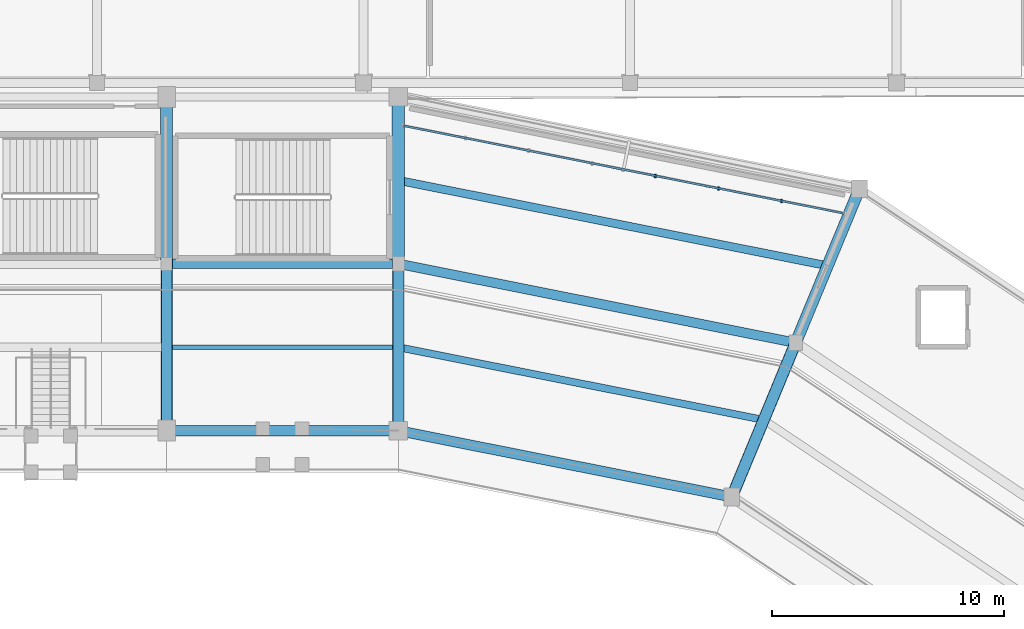
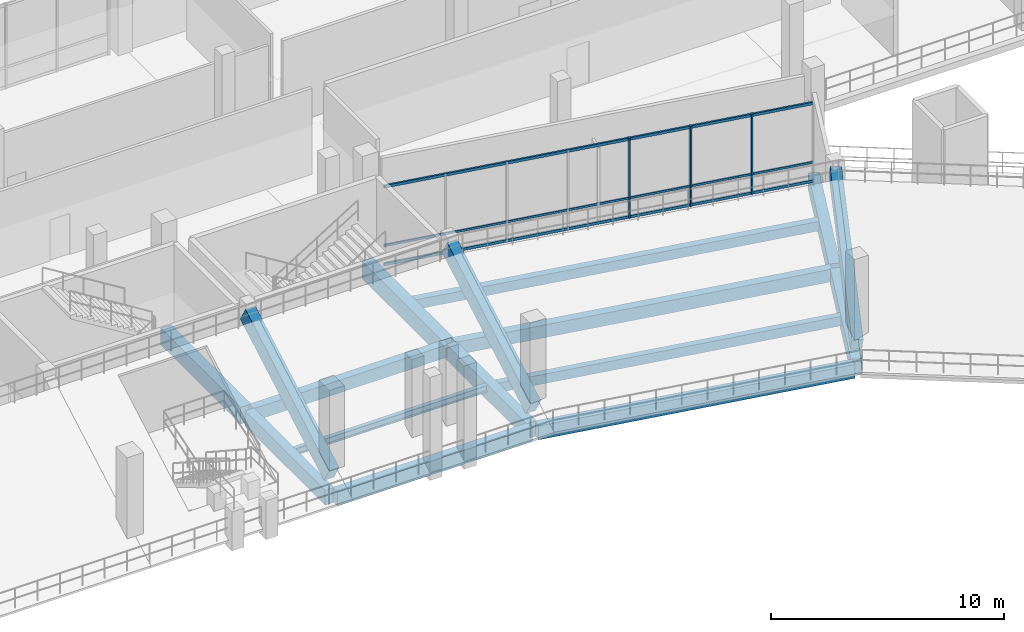
# One storey, part 55 of 127: 16 beams, 6 members, 1 element without a shape of its own.
"""IFC4 building model written with IfcOpenShell, lengths in metres."""

from ifc_helpers import new_model, si_unit, direction, frame, origin, origin_2d, place, context, subcontext, project, spatial, rectangle, i_section, extrude, material, material_profile, profile_set, type_object, element, aggregate, save


model = new_model("IFC4")

# Units and contexts
model_context = context("Model", 3, precision=1e-05, world=origin(), true_north=direction((0.0, 1.0)))
body_context = subcontext(model_context, "Body", "Model", "MODEL_VIEW")
ifc_project = project(units=[si_unit("LENGTHUNIT", "METRE"), si_unit("AREAUNIT", "SQUARE_METRE"), si_unit("VOLUMEUNIT", "CUBIC_METRE"), si_unit("PLANEANGLEUNIT", "RADIAN"), si_unit("MASSUNIT", "GRAM", prefix="KILO")], contexts=[model_context])

# Site, building, storey
site_placement = place(None, origin())
site = spatial("IfcSite", under=ifc_project, at=site_placement, CompositionType="ELEMENT")
building_placement = place(site_placement, origin())
building = spatial("IfcBuilding", under=site, at=building_placement, Name="Candeia Ridge Stadium", CompositionType="ELEMENT")
storey_placement = place(building_placement, frame((0.0, 0.0, 10.800048828125)))
storey = spatial("IfcBuildingStorey", under=building, at=storey_placement, Name="L02", CompositionType="ELEMENT", Elevation=10.800048828125)

# Beams
ifc_material_1 = material(Name="Concrete C45/55", Category="concrete")
ifc_material_profile_1 = material_profile(ifc_material_1, rectangle(XDim=0.5, YDim=0.89990234375, at=origin_2d()), Name="RC500x900", Category="concrete")
ifc_profile_set_1 = profile_set([ifc_material_profile_1], Name="Concrete C45/55")
beam_type_1 = type_object("IfcBeamType", Name="Club Stand Raker Beam RC500x900", PredefinedType="USERDEFINED", material=ifc_profile_set_1)
for number, where, z_axis, x_axis, name in (
    (1, (141.0, 132.60009765625, 0.624267578125), (0.0, 0.869244421404, 0.494382580455), (-1.0, 0.0, 0.0), "Stand T2 inclined concrete raker beam 01"),
    (2, (131.0, 132.60009765625, 0.624267578125), (0.0, 0.869244421404, 0.494382580455), (-1.0, 0.0, 0.0), "Stand T2 inclined concrete raker beam 02"),
):
    element("IfcBeam", number, at=place(storey_placement, frame(where, z_axis=z_axis, x_axis=x_axis)), inside=storey, type_object=beam_type_1, Name=name, ObjectType="RAKER", PredefinedType="USERDEFINED", context=body_context, shape_type="SweptSolid", body=[
        extrude(rectangle(XDim=0.5, YDim=0.89990234375, at=origin_2d()), origin(), (0.0, 0.0, 1.0), 8.282958984375),
    ])
beam_1_placement = place(storey_placement, frame((155.388916015625, 129.73779296875, 0.624267578125), z_axis=(0.332646014247, 0.80308399346, 0.494371043502), x_axis=(-0.923880454805, 0.382681205745, 0.0)))
element("IfcBeam", 3, at=beam_1_placement, inside=storey, type_object=beam_type_1, Name="Stand T2 inclined concrete raker beam 36", ObjectType="RAKER", PredefinedType="USERDEFINED", context=body_context, shape_type="SweptSolid", body=[
    extrude(rectangle(XDim=0.5, YDim=0.89990234375, at=origin_2d()), origin(), (0.0, 0.0, 1.0), 8.283203125),
])
ifc_material_2 = material(Name="Steel ASTM A572 Grade 50", Category="steel")
ifc_material_profile_2 = material_profile(ifc_material_2, i_section(OverallWidth=0.205078125, OverallDepth=0.35400390625, WebThickness=0.009521484375, FlangeThickness=0.016845703125, FilletRadius=0.014892578125, at=origin_2d()), Name="W360x79", Category="steel")
ifc_profile_set_2 = profile_set([ifc_material_profile_2], Name="Steel ASTM A572 Grade 50")
beam_type_2 = type_object("IfcBeamType", Name="Concourse Secondary Joist W360x79", PredefinedType="JOIST", material=ifc_profile_set_2)
beam_2_placement = place(storey_placement, frame((140.778076171875, 136.199951171875, -0.43701171875), z_axis=(-1.0, 0.0, 0.0), x_axis=(0.0, -1.0, 0.0)))
element("IfcBeam", 4, at=beam_2_placement, inside=storey, type_object=beam_type_2, Name="Concourse secondary joist BM-L02-0316", PredefinedType="JOIST", context=body_context, shape_type="SweptSolid", body=[
    extrude(i_section(OverallWidth=0.205078125, OverallDepth=0.35400390625, WebThickness=0.009521484375, FlangeThickness=0.016845703125, FilletRadius=0.014892578125, at=origin_2d()), origin(), (0.0, 0.0, 1.0), 9.55615234375),
])

# Curtain wall, members
ifc_material_3 = material(Name="Aluminium Anodized Warm Bronze", Category="aluminium")
curtain_wall_type = type_object("IfcCurtainWallType", Name="Concourse Recessed Unitised Curtain Wall", PredefinedType="NOTDEFINED", material=ifc_material_3)
curtain_wall_placement = place(storey_placement, origin())
curtain_wall = element("IfcCurtainWall", 5, at=curtain_wall_placement, inside=storey, type_object=curtain_wall_type, Name="Unitised curtain wall CW-BWL-L02-35", PredefinedType="NOTDEFINED")
ifc_material_profile_3 = material_profile(ifc_material_3, rectangle(XDim=0.074951171875, YDim=0.14990234375, at=origin_2d()), Name="CWM-75x150", Category="aluminium")
ifc_profile_set_3 = profile_set([ifc_material_profile_3], Name="Aluminium Anodized Warm Bronze")
member_type_1 = type_object("IfcMemberType", Name="Curtain Wall Secondary Mullion 75x150", PredefinedType="MULLION", material=ifc_profile_set_3)
member_1_placement = place(storey_placement, frame((157.537109375, 142.510498046875, 0.0), z_axis=(0.0, 0.0, 1.0), x_axis=(1.0, 0.0, 0.0)))
member_1 = element("IfcMember", 6, at=member_1_placement, type_object=member_type_1, Name="Curtain wall mullion CW-BWL-L02-35-M1", PredefinedType="MULLION", context=body_context, shape_type="SweptSolid", body=[
    extrude(rectangle(XDim=0.074951171875, YDim=0.14990234375, at=origin_2d()), origin(), (0.0, 0.0, 1.0), 4.21484375),
])
member_2_placement = place(storey_placement, frame((154.810302734375, 143.052978515625, 0.0), z_axis=(0.0, 0.0, 1.0), x_axis=(1.0, 0.0, 0.0)))
member_2 = element("IfcMember", 7, at=member_2_placement, type_object=member_type_1, Name="Curtain wall mullion CW-BWL-L02-35-M2", PredefinedType="MULLION", context=body_context, shape_type="SweptSolid", body=[
    extrude(rectangle(XDim=0.074951171875, YDim=0.14990234375, at=origin_2d()), origin(), (0.0, 0.0, 1.0), 4.21484375),
])
member_3_placement = place(storey_placement, frame((152.08349609375, 143.595458984375, 0.0), z_axis=(0.0, 0.0, 1.0), x_axis=(1.0, 0.0, 0.0)))
member_3 = element("IfcMember", 8, at=member_3_placement, type_object=member_type_1, Name="Curtain wall mullion CW-BWL-L02-35-M3", PredefinedType="MULLION", context=body_context, shape_type="SweptSolid", body=[
    extrude(rectangle(XDim=0.074951171875, YDim=0.14990234375, at=origin_2d()), origin(), (0.0, 0.0, 1.0), 4.21484375),
])
ifc_material_profile_4 = material_profile(ifc_material_3, rectangle(XDim=0.074951171875, YDim=0.110107421875, at=origin_2d()), Name="CWT-75x110", Category="aluminium")
ifc_profile_set_4 = profile_set([ifc_material_profile_4], Name="Aluminium Anodized Warm Bronze")
member_type_2 = type_object("IfcMemberType", Name="Curtain Wall Secondary Transom 75x110", PredefinedType="USERDEFINED", material=ifc_profile_set_4)
member_4_placement = place(storey_placement, frame((160.263916015625, 141.96826171875, 1.0537109375), z_axis=(-0.980786160623, 0.195085896803, 0.0), x_axis=(-0.195085896803, -0.980786160623, 0.0)))
member_4 = element("IfcMember", 9, at=member_4_placement, type_object=member_type_2, Name="Curtain wall transom CW-BWL-L02-35-T1", ObjectType="TRANSOM", PredefinedType="USERDEFINED", context=body_context, shape_type="SweptSolid", body=[
    extrude(rectangle(XDim=0.074951171875, YDim=0.110107421875, at=origin_2d()), origin(), (0.0, 0.0, 1.0), 19.46142578125),
])
ifc_material_profile_5 = material_profile(ifc_material_3, rectangle(XDim=0.090087890625, YDim=0.139892578125, at=origin_2d()), Name="CWT-90x140", Category="aluminium")
ifc_profile_set_5 = profile_set([ifc_material_profile_5], Name="Aluminium Anodized Warm Bronze")
member_type_3 = type_object("IfcMemberType", Name="Curtain Wall Transom 90x140", PredefinedType="USERDEFINED", material=ifc_profile_set_5)
member_5_placement = place(storey_placement, frame((160.263916015625, 141.96826171875, 0.070068359375), z_axis=(-0.980786160623, 0.195085896803, 0.0), x_axis=(-0.195085896803, -0.980786160623, 0.0)))
member_5 = element("IfcMember", 10, at=member_5_placement, type_object=member_type_3, Name="Curtain wall transom CW-BWL-L02-35-T0", ObjectType="TRANSOM", PredefinedType="USERDEFINED", context=body_context, shape_type="SweptSolid", body=[
    extrude(rectangle(XDim=0.090087890625, YDim=0.139892578125, at=origin_2d()), origin(), (0.0, 0.0, 1.0), 19.46142578125),
])
member_6_placement = place(storey_placement, frame((160.263916015625, 141.96826171875, 4.14501953125), z_axis=(-0.980786160623, 0.195085896803, 0.0), x_axis=(-0.195085896803, -0.980786160623, 0.0)))
member_6 = element("IfcMember", 11, at=member_6_placement, type_object=member_type_3, Name="Curtain wall transom CW-BWL-L02-35-T2", ObjectType="TRANSOM", PredefinedType="USERDEFINED", context=body_context, shape_type="SweptSolid", body=[
    extrude(rectangle(XDim=0.090087890625, YDim=0.139892578125, at=origin_2d()), origin(), (0.0, 0.0, 1.0), 19.46142578125),
])
aggregate(curtain_wall, [member_1, member_2, member_3, member_5, member_4, member_6])

# Beams
ifc_material_4 = material(Name="Concrete C40/50", Category="concrete")
ifc_material_profile_6 = material_profile(ifc_material_4, rectangle(XDim=0.31005859375, YDim=0.489990234375, at=origin_2d()), Name="RC310x490", Category="concrete")
ifc_profile_set_6 = profile_set([ifc_material_profile_6], Name="Concrete C40/50")
beam_type_3 = type_object("IfcBeamType", Name="Floor Joist RC310x490", PredefinedType="JOIST", material=ifc_profile_set_6)
beam_3_placement = place(storey_placement, frame((156.548828125, 133.107177734375, -0.505126953125), z_axis=(-0.980784984607, 0.195091809076, 0.0), x_axis=(-0.195091809076, -0.980784984607, 0.0)))
element("IfcBeam", 12, at=beam_3_placement, inside=storey, type_object=beam_type_3, Name="Concourse secondary joist BM-L02-0479", PredefinedType="JOIST", context=body_context, shape_type="SweptSolid", body=[
    extrude(rectangle(XDim=0.31005859375, YDim=0.489990234375, at=origin_2d()), origin(), (0.0, 0.0, 1.0), 15.63134765625),
])
ifc_material_profile_7 = material_profile(ifc_material_4, rectangle(XDim=0.35009765625, YDim=0.5, at=origin_2d()), Name="RC350x500", Category="concrete")
ifc_profile_set_7 = profile_set([ifc_material_profile_7], Name="Concrete C40/50")
beam_type_4 = type_object("IfcBeamType", Name="Floor Joist RC350x500", PredefinedType="JOIST", material=ifc_profile_set_7)
beam_4_placement = place(storey_placement, frame((159.30419921875, 139.759033203125, -0.510009765625), z_axis=(-0.980784839623, 0.195092537954, 0.0), x_axis=(-0.195092537954, -0.980784839623, 0.0)))
element("IfcBeam", 13, at=beam_4_placement, inside=storey, type_object=beam_type_4, Name="Concourse secondary joist BM-L02-0480", PredefinedType="JOIST", context=body_context, shape_type="SweptSolid", body=[
    extrude(rectangle(XDim=0.35009765625, YDim=0.5, at=origin_2d()), origin(), (0.0, 0.0, 1.0), 18.440673828125),
])
ifc_material_profile_8 = material_profile(ifc_material_4, rectangle(XDim=0.409912109375, YDim=0.659912109375, at=origin_2d()), Name="RC410x660", Category="concrete")
ifc_profile_set_8 = profile_set([ifc_material_profile_8], Name="Concrete C40/50")
beam_type_5 = type_object("IfcBeamType", Name="Frame Girder RC410x660", PredefinedType="BEAM", material=ifc_profile_set_8)
beam_5_placement = place(storey_placement, frame((140.840087890625, 139.800048828125, -0.590087890625), z_axis=(-1.0, 0.0, 0.0), x_axis=(0.0, -1.0, 0.0)))
element("IfcBeam", 14, at=beam_5_placement, inside=storey, type_object=beam_type_5, Name="Concourse spine girder BM-L02-0314", PredefinedType="BEAM", context=body_context, shape_type="SweptSolid", body=[
    extrude(rectangle(XDim=0.409912109375, YDim=0.659912109375, at=origin_2d()), origin(), (0.0, 0.0, 1.0), 9.68017578125),
])
beam_6_placement = place(storey_placement, frame((157.9873046875, 136.4208984375, -0.590087890625), z_axis=(-0.980783706548, 0.195098234154, 0.0), x_axis=(-0.195098234154, -0.980783706548, 0.0)))
element("IfcBeam", 15, at=beam_6_placement, inside=storey, type_object=beam_type_5, Name="Concourse spine girder BM-L02-0477", PredefinedType="BEAM", context=body_context, shape_type="SweptSolid", body=[
    extrude(rectangle(XDim=0.409912109375, YDim=0.659912109375, at=origin_2d()), origin(), (0.0, 0.0, 1.0), 17.16015625),
])
ifc_material_profile_9 = material_profile(ifc_material_4, rectangle(XDim=0.43994140625, YDim=0.719970703125, at=origin_2d()), Name="RC440x720", Category="concrete")
ifc_profile_set_9 = profile_set([ifc_material_profile_9], Name="Concrete C40/50")
beam_type_6 = type_object("IfcBeamType", Name="Frame Girder RC440x720", PredefinedType="BEAM", material=ifc_profile_set_9)
beam_7_placement = place(storey_placement, frame((140.840087890625, 132.60009765625, -0.6201171875), z_axis=(-1.0, 0.0, 0.0), x_axis=(0.0, -1.0, 0.0)))
element("IfcBeam", 16, at=beam_7_placement, inside=storey, type_object=beam_type_6, Name="Bowl inner ring girder BM-L02-0313", PredefinedType="BEAM", context=body_context, shape_type="SweptSolid", body=[
    extrude(rectangle(XDim=0.43994140625, YDim=0.719970703125, at=origin_2d()), origin(), (0.0, 0.0, 1.0), 9.68017578125),
])
beam_8_placement = place(storey_placement, frame((155.23193359375, 129.76904296875, -0.6201171875), z_axis=(-0.980783642657, 0.195098555341, 0.0), x_axis=(-0.195098555341, -0.980783642657, 0.0)))
element("IfcBeam", 17, at=beam_8_placement, inside=storey, type_object=beam_type_6, Name="Bowl inner ring girder BM-L02-0476", PredefinedType="BEAM", context=body_context, shape_type="SweptSolid", body=[
    extrude(rectangle(XDim=0.43994140625, YDim=0.719970703125, at=origin_2d()), origin(), (0.0, 0.0, 1.0), 14.350830078125),
])
ifc_material_profile_10 = material_profile(ifc_material_4, rectangle(XDim=0.4599609375, YDim=0.780029296875, at=origin_2d()), Name="RC460x780", Category="concrete")
ifc_profile_set_10 = profile_set([ifc_material_profile_10], Name="Concrete C40/50")
beam_type_7 = type_object("IfcBeamType", Name="Frame Girder RC460x780", PredefinedType="BEAM", material=ifc_profile_set_10)
beam_9_placement = place(storey_placement, frame((131.0, 132.760009765625, -0.650146484375), z_axis=(0.0, 1.0, 0.0), x_axis=(-1.0, 0.0, 0.0)))
element("IfcBeam", 18, at=beam_9_placement, inside=storey, type_object=beam_type_7, Name="Bowl radial girder BM-L02-0243", PredefinedType="BEAM", context=body_context, shape_type="SweptSolid", body=[
    extrude(rectangle(XDim=0.4599609375, YDim=0.780029296875, at=origin_2d()), origin(), (0.0, 0.0, 1.0), 6.8798828125),
])
ifc_material_profile_11 = material_profile(ifc_material_1, rectangle(XDim=0.47998046875, YDim=0.820068359375, at=origin_2d()), Name="RC480x820", Category="concrete")
ifc_profile_set_11 = profile_set([ifc_material_profile_11], Name="Concrete C45/55")
beam_type_8 = type_object("IfcBeamType", Name="Frame Girder RC480x820", PredefinedType="BEAM", material=ifc_profile_set_11)
for number, where, z_axis, x_axis, name in (
    (19, (141.0, 132.760009765625, -0.670166015625), (0.0, 1.0, 0.0), (-1.0, 0.0, 0.0), "Bowl radial girder BM-L02-0241"),
    (20, (155.4501953125, 129.8857421875, -0.670166015625), (0.382681914982, 0.923880161031, 0.0), (-0.923880161031, 0.382681914982, 0.0), "Bowl radial girder BM-L02-0311"),
):
    element("IfcBeam", number, at=place(storey_placement, frame(where, z_axis=z_axis, x_axis=x_axis)), inside=storey, type_object=beam_type_8, Name=name, PredefinedType="BEAM", context=body_context, shape_type="SweptSolid", body=[
        extrude(rectangle(XDim=0.47998046875, YDim=0.820068359375, at=origin_2d()), origin(), (0.0, 0.0, 1.0), 6.8798828125),
    ])
ifc_material_profile_12 = material_profile(ifc_material_1, rectangle(XDim=0.5, YDim=0.85009765625, at=origin_2d()), Name="RC500x850", Category="concrete")
ifc_profile_set_12 = profile_set([ifc_material_profile_12], Name="Concrete C45/55")
beam_type_9 = type_object("IfcBeamType", Name="Frame Girder RC500x850", PredefinedType="BEAM", material=ifc_profile_set_12)
beam_10_placement = place(storey_placement, frame((158.20556640625, 136.53759765625, -0.68505859375), z_axis=(0.382681914982, 0.923880161031, 0.0), x_axis=(-0.923880161031, 0.382681914982, 0.0)))
element("IfcBeam", 21, at=beam_10_placement, inside=storey, type_object=beam_type_9, Name="Bowl radial girder BM-L02-0312", PredefinedType="BEAM", context=body_context, shape_type="SweptSolid", body=[
    extrude(rectangle(XDim=0.5, YDim=0.85009765625, at=origin_2d()), origin(), (0.0, 0.0, 1.0), 6.8798828125),
])
ifc_material_profile_13 = material_profile(ifc_material_1, rectangle(XDim=0.52001953125, YDim=0.8798828125, at=origin_2d()), Name="RC520x880", Category="concrete")
ifc_profile_set_13 = profile_set([ifc_material_profile_13], Name="Concrete C45/55")
beam_type_10 = type_object("IfcBeamType", Name="Frame Girder RC520x880", PredefinedType="BEAM", material=ifc_profile_set_13)
beam_11_placement = place(storey_placement, frame((131.0, 139.9599609375, -0.699951171875), z_axis=(0.0, 1.0, 0.0), x_axis=(-1.0, 0.0, 0.0)))
element("IfcBeam", 22, at=beam_11_placement, inside=storey, type_object=beam_type_10, Name="Bowl radial girder BM-L02-0244", PredefinedType="BEAM", context=body_context, shape_type="SweptSolid", body=[
    extrude(rectangle(XDim=0.52001953125, YDim=0.8798828125, at=origin_2d()), origin(), (0.0, 0.0, 1.0), 6.880126953125),
])
ifc_material_profile_14 = material_profile(ifc_material_1, rectangle(XDim=0.550048828125, YDim=0.919921875, at=origin_2d()), Name="RC550x920", Category="concrete")
ifc_profile_set_14 = profile_set([ifc_material_profile_14], Name="Concrete C45/55")
beam_type_11 = type_object("IfcBeamType", Name="Frame Girder RC550x920", PredefinedType="BEAM", material=ifc_profile_set_14)
beam_12_placement = place(storey_placement, frame((141.0, 139.9599609375, -0.719970703125), z_axis=(0.0, 1.0, 0.0), x_axis=(-1.0, 0.0, 0.0)))
element("IfcBeam", 23, at=beam_12_placement, inside=storey, type_object=beam_type_11, Name="Bowl radial girder BM-L02-0242", PredefinedType="BEAM", context=body_context, shape_type="SweptSolid", body=[
    extrude(rectangle(XDim=0.550048828125, YDim=0.919921875, at=origin_2d()), origin(), (0.0, 0.0, 1.0), 6.880126953125),
])

save(model, "model.ifc")
